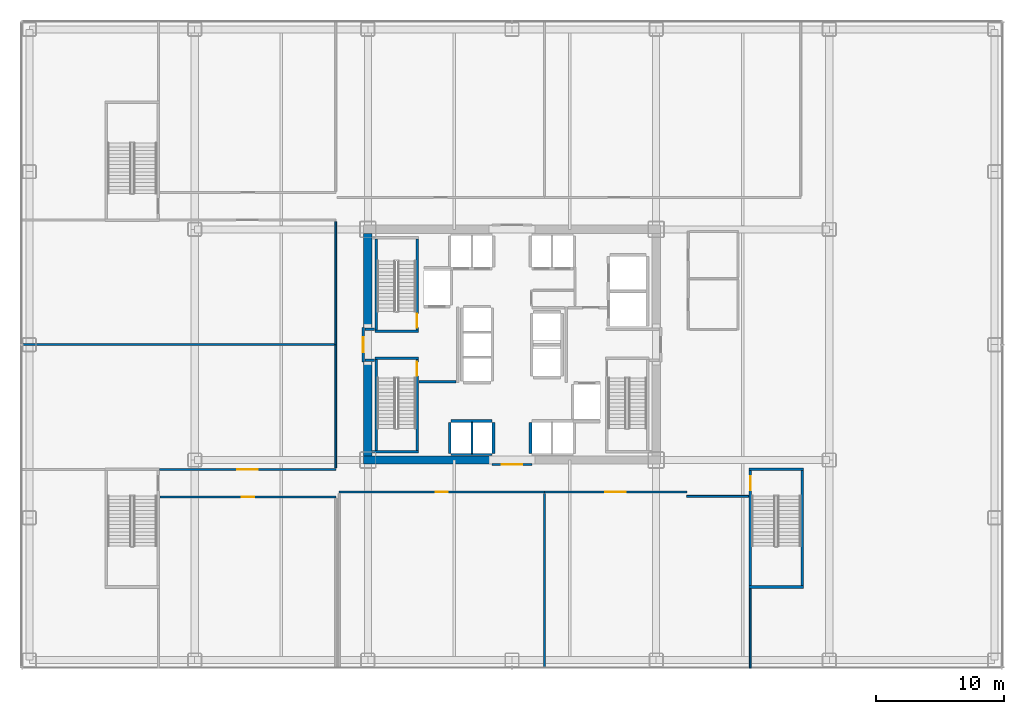
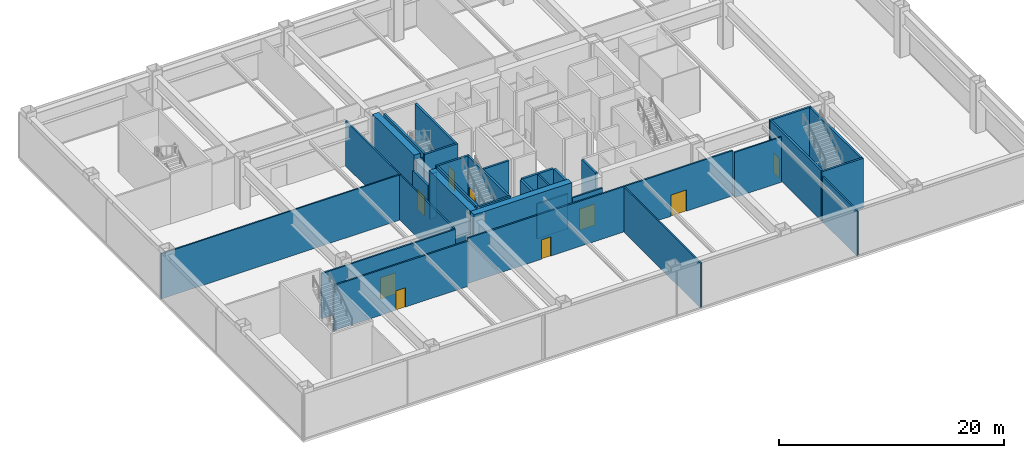
# One storey, part 17 of 24: 35 walls, 9 doors, 9 openings.
"""IFC4 building model written with IfcOpenShell, lengths in metres."""

from ifc_helpers import new_model, si_unit, direction, frame, frame_2d, origin, place, context, subcontext, project, spatial, rectangle, extrude, source, transform, mapped, material, layer, layer_set, type_object, element, fill, save


model = new_model("IFC4")

# Units and contexts
model_context = context("Model", 3, precision=1e-05, world=origin(), true_north=direction((0.0, 1.0)))
body_context = subcontext(model_context, "Body", "Model", "MODEL_VIEW")
ifc_project = project(units=[si_unit("LENGTHUNIT", "METRE"), si_unit("AREAUNIT", "SQUARE_METRE"), si_unit("VOLUMEUNIT", "CUBIC_METRE"), si_unit("PLANEANGLEUNIT", "RADIAN"), si_unit("MASSUNIT", "GRAM", prefix="KILO")], contexts=[model_context])

# Site, building, storey
site_placement = place(None, origin())
site = spatial("IfcSite", under=ifc_project, at=site_placement, CompositionType="ELEMENT")
building_placement = place(site_placement, origin())
building = spatial("IfcBuilding", under=site, at=building_placement, Name="Nefas-Gora Pilgrimage Tower", CompositionType="ELEMENT")
storey_placement = place(building_placement, frame((0.0, 0.0, 22.199951171875)))
storey = spatial("IfcBuildingStorey", under=building, at=storey_placement, Name="L04", CompositionType="ELEMENT", Elevation=22.199951171875)

# Walls
ifc_material_1 = material(Name="Concrete C60/75", Category="concrete")
ifc_layer_1 = layer(ifc_material_1, 0.64990234375)
ifc_layer_set_1 = layer_set([ifc_layer_1], Name="Concrete C60/75")
wall_type_1 = type_object("IfcWallType", Name="SW-CORE-650", PredefinedType="SHEAR", material=ifc_layer_set_1)
shared_shape_1 = source(origin(), body_context, "Body", "SweptSolid", [
    extrude(rectangle(XDim=10.02490234375, YDim=0.64990234375, at=frame_2d((5.012451171875, 0.0))), origin(), (0.0, 0.0, 1.0), 5.400146484375),
])
wall_1_placement = place(storey_placement, frame((-11.574951171875, -9.0, 0.0), z_axis=(0.0, 0.0, 1.0), x_axis=(1.0, 0.0, 0.0)))
element("IfcWall", 1, at=wall_1_placement, inside=storey, type_object=wall_type_1, Name="L04 Core Shear Wall S-West", PredefinedType="SHEAR", context=body_context, shape_type="MappedRepresentation", body=[
    mapped(shared_shape_1, transform((0.0, 0.0, 0.0), x_axis=(1.0, 0.0, 0.0), y_axis=(0.0, 1.0, 0.0), z_axis=(0.0, 0.0, 1.0), scale=1.0)),
])
shared_shape_2 = source(origin(), body_context, "Body", "SweptSolid", [
    extrude(rectangle(XDim=7.324951171875, YDim=0.64990234375, at=frame_2d((3.66259765625, 0.0))), origin(), (0.0, 0.0, 1.0), 5.400146484375),
])
for number, where, z_axis, x_axis, name in (
    (2, (-11.25, -8.675048828125, 0.0), (0.0, 0.0, 1.0), (0.0, 1.0, 0.0), "L04 Core Shear Wall W-South"),
    (3, (-11.25, 1.35009765625, 0.0), (0.0, 0.0, 1.0), (0.0, 1.0, 0.0), "L04 Core Shear Wall W-North"),
):
    element("IfcWall", number, at=place(storey_placement, frame(where, z_axis=z_axis, x_axis=x_axis)), inside=storey, type_object=wall_type_1, Name=name, PredefinedType="SHEAR", context=body_context, shape_type="MappedRepresentation", body=[
        mapped(shared_shape_2, transform((0.0, 0.0, 0.0), x_axis=(1.0, 0.0, 0.0), y_axis=(0.0, 1.0, 0.0), z_axis=(0.0, 0.0, 1.0), scale=1.0)),
    ])
ifc_material_2 = material(Name="Concrete C45/55", Category="concrete")
ifc_layer_2 = layer(ifc_material_2, 0.199951171875)
ifc_layer_set_2 = layer_set([ifc_layer_2], Name="Concrete C45/55")
wall_type_2 = type_object("IfcWallType", Name="IW-STAIR-200", PredefinedType="SOLIDWALL", material=ifc_layer_set_2)
shared_shape_3 = source(origin(), body_context, "Body", "SweptSolid", [
    extrude(rectangle(XDim=3.39990234375, YDim=0.199951171875, at=frame_2d((1.699951171875, 0.0))), origin(), (0.0, 0.0, 1.0), 5.400146484375),
])
for number, where, z_axis, x_axis, name in (
    (4, (-7.300048828125, 1.050048828125, 0.0), (0.0, 0.0, 1.0), (-1.0, 0.0, 0.0), "L04 Stairwell Shear Wall ST-01-near"),
    (5, (-10.699951171875, -1.050048828125, 0.0), (0.0, 0.0, 1.0), (1.0, 0.0, 0.0), "L04 Stairwell Shear Wall ST-03-near"),
):
    element("IfcWall", number, at=place(storey_placement, frame(where, z_axis=z_axis, x_axis=x_axis)), inside=storey, type_object=wall_type_2, Name=name, PredefinedType="SOLIDWALL", context=body_context, shape_type="MappedRepresentation", body=[
        mapped(shared_shape_3, transform((0.0, 0.0, 0.0), x_axis=(1.0, 0.0, 0.0), y_axis=(0.0, 1.0, 0.0), z_axis=(0.0, 0.0, 1.0), scale=1.0)),
    ])
shared_shape_4 = source(origin(), body_context, "Body", "SweptSolid", [
    extrude(rectangle(XDim=3.6298828125, YDim=0.199951171875, at=frame_2d((1.81494140625, 0.0))), origin(), (0.0, 0.0, 1.0), 5.400146484375),
])
wall_2_placement = place(storey_placement, frame((-10.929931640625, -8.35009765625, 0.0), z_axis=(0.0, 0.0, 1.0), x_axis=(1.0, 0.0, 0.0)))
element("IfcWall", 6, at=wall_2_placement, inside=storey, type_object=wall_type_2, Name="L04 Stairwell Shear Wall ST-03-far", PredefinedType="SOLIDWALL", context=body_context, shape_type="MappedRepresentation", body=[
    mapped(shared_shape_4, transform((0.0, 0.0, 0.0), x_axis=(1.0, 0.0, 0.0), y_axis=(0.0, 1.0, 0.0), z_axis=(0.0, 0.0, 1.0), scale=1.0)),
])

# Wall, opening, door
shared_shape_5 = source(origin(), body_context, "Body", "SweptSolid", [
    extrude(rectangle(XDim=7.10009765625, YDim=0.199951171875, at=frame_2d((3.550048828125, 0.0))), origin(), (0.0, 0.0, 1.0), 5.400146484375),
])
wall_3_placement = place(storey_placement, frame((-7.39990234375, 1.14990234375, 0.0), z_axis=(0.0, 0.0, 1.0), x_axis=(0.0, 1.0, 0.0)))
wall_3 = element("IfcWall", 7, at=wall_3_placement, inside=storey, type_object=wall_type_2, Name="L04 Stairwell Shear Wall ST-01-left", PredefinedType="SOLIDWALL", context=body_context, shape_type="MappedRepresentation", body=[
    mapped(shared_shape_5, transform((0.0, 0.0, 0.0), x_axis=(1.0, 0.0, 0.0), y_axis=(0.0, 1.0, 0.0), z_axis=(0.0, 0.0, 1.0), scale=1.0)),
])
opening_1_placement = place(wall_3_placement, frame((0.179931640625, 0.0, 0.0)))
opening_1 = element("IfcOpeningElement", 8, at=opening_1_placement, cuts=wall_3, Name="Opening ID-ST1", PredefinedType="OPENING", context=body_context, shape_type="SweptSolid", body=[
    extrude(rectangle(XDim=1.10009765625, YDim=2.14990234375, at=frame_2d((0.550048828125, 1.074951171875))), frame((0.0, 0.10986328125, 0.0), z_axis=(0.0, -1.0, 0.0), x_axis=(1.0, 0.0, 0.0)), (0.0, 0.0, 1.0), 0.219970703125),
])
ifc_material_3 = material(Name="Painted galvanised steel fire stair door", Category="steel")
door_type_1 = type_object("IfcDoorType", Name="DR-INT-STAIR-1100", OperationType="NOTDEFINED", PredefinedType="DOOR", material=ifc_material_3)
shared_shape_6 = source(origin(), body_context, "Body", "SweptSolid", [
    extrude(rectangle(XDim=1.10009765625, YDim=2.14990234375, at=frame_2d((0.550048828125, 1.074951171875))), frame((0.0, 0.02490234375, 0.0), z_axis=(0.0, -1.0, 0.0), x_axis=(1.0, 0.0, 0.0)), (0.0, 0.0, 1.0), 0.050048828125),
])
door_1_placement = place(opening_1_placement, origin())
door_1 = element("IfcDoor", 9, at=door_1_placement, inside=storey, type_object=door_type_1, Name="L04 Protected Exit Stair Door ST-01", OperationType="SINGLE_SWING_RIGHT", OverallHeight=2.14990234375, OverallWidth=1.10009765625, PredefinedType="DOOR", context=body_context, shape_type="MappedRepresentation", body=[
    mapped(shared_shape_6, transform((0.0, 0.0, 0.0), x_axis=(1.0, 0.0, 0.0), y_axis=(0.0, 1.0, 0.0), z_axis=(0.0, 0.0, 1.0), scale=1.0)),
])
fill(opening_1, door_1)

# Walls
for number, where, z_axis, x_axis, name in (
    (10, (-10.60009765625, 1.14990234375, 0.0), (0.0, 0.0, 1.0), (0.0, 1.0, 0.0), "L04 Stairwell Shear Wall ST-01-right"),
    (11, (-10.60009765625, -1.14990234375, 0.0), (0.0, 0.0, 1.0), (0.0, -1.0, 0.0), "L04 Stairwell Shear Wall ST-03-left"),
):
    element("IfcWall", number, at=place(storey_placement, frame(where, z_axis=z_axis, x_axis=x_axis)), inside=storey, type_object=wall_type_2, Name=name, PredefinedType="SOLIDWALL", context=body_context, shape_type="MappedRepresentation", body=[
        mapped(shared_shape_5, transform((0.0, 0.0, 0.0), x_axis=(1.0, 0.0, 0.0), y_axis=(0.0, 1.0, 0.0), z_axis=(0.0, 0.0, 1.0), scale=1.0)),
    ])

# Wall, opening, door
wall_4_placement = place(storey_placement, frame((-7.39990234375, -1.14990234375, 0.0), z_axis=(0.0, 0.0, 1.0), x_axis=(0.0, -1.0, 0.0)))
wall_4 = element("IfcWall", 12, at=wall_4_placement, inside=storey, type_object=wall_type_2, Name="L04 Stairwell Shear Wall ST-03-right", PredefinedType="SOLIDWALL", context=body_context, shape_type="MappedRepresentation", body=[
    mapped(shared_shape_5, transform((0.0, 0.0, 0.0), x_axis=(1.0, 0.0, 0.0), y_axis=(0.0, 1.0, 0.0), z_axis=(0.0, 0.0, 1.0), scale=1.0)),
])
opening_2_placement = place(wall_4_placement, frame((0.179931640625, 0.0, 0.0)))
opening_2 = element("IfcOpeningElement", 13, at=opening_2_placement, cuts=wall_4, Name="Opening ID-ST1", PredefinedType="OPENING", context=body_context, shape_type="SweptSolid", body=[
    extrude(rectangle(XDim=1.10009765625, YDim=2.14990234375, at=frame_2d((0.550048828125, 1.074951171875))), frame((0.0, 0.10986328125, 0.0), z_axis=(0.0, -1.0, 0.0), x_axis=(1.0, 0.0, 0.0)), (0.0, 0.0, 1.0), 0.219970703125),
])
door_2_placement = place(opening_2_placement, origin())
door_2 = element("IfcDoor", 14, at=door_2_placement, inside=storey, type_object=door_type_1, Name="L04 Protected Exit Stair Door ST-03", OperationType="SINGLE_SWING_RIGHT", OverallHeight=2.14990234375, OverallWidth=1.10009765625, PredefinedType="DOOR", context=body_context, shape_type="MappedRepresentation", body=[
    mapped(shared_shape_6, transform((0.0, 0.0, 0.0), x_axis=(1.0, 0.0, 0.0), y_axis=(0.0, 1.0, 0.0), z_axis=(0.0, 0.0, 1.0), scale=1.0)),
])
fill(opening_2, door_2)

# Walls
shared_shape_7 = source(origin(), body_context, "Body", "SweptSolid", [
    extrude(rectangle(XDim=4.239990234375, YDim=0.199951171875, at=frame_2d((2.1201171875, 0.0))), origin(), (0.0, 0.0, 1.0), 5.400146484375),
])
for number, where, z_axis, x_axis, name in (
    (15, (18.5, -9.699951171875, 0.0), (0.0, 0.0, 1.0), (1.0, 0.0, 0.0), "L04 Stairwell Shear Wall ST-06-near"),
    (16, (18.5, -18.89990234375, 0.0), (0.0, 0.0, 1.0), (1.0, 0.0, 0.0), "L04 Stairwell Shear Wall ST-06-far"),
):
    element("IfcWall", number, at=place(storey_placement, frame(where, z_axis=z_axis, x_axis=x_axis)), inside=storey, type_object=wall_type_2, Name=name, PredefinedType="SOLIDWALL", context=body_context, shape_type="MappedRepresentation", body=[
        mapped(shared_shape_7, transform((0.0, 0.0, 0.0), x_axis=(1.0, 0.0, 0.0), y_axis=(0.0, 1.0, 0.0), z_axis=(0.0, 0.0, 1.0), scale=1.0)),
    ])

# Wall, opening, door
shared_shape_8 = source(origin(), body_context, "Body", "SweptSolid", [
    extrude(rectangle(XDim=9.0, YDim=0.199951171875, at=frame_2d((4.5, 0.0))), origin(), (0.0, 0.0, 1.0), 5.400146484375),
])
wall_5_placement = place(storey_placement, frame((18.60009765625, -9.800048828125, 0.0), z_axis=(0.0, 0.0, 1.0), x_axis=(0.0, -1.0, 0.0)))
wall_5 = element("IfcWall", 17, at=wall_5_placement, inside=storey, type_object=wall_type_2, Name="L04 Stairwell Shear Wall ST-06-left", PredefinedType="SOLIDWALL", context=body_context, shape_type="MappedRepresentation", body=[
    mapped(shared_shape_8, transform((0.0, 0.0, 0.0), x_axis=(1.0, 0.0, 0.0), y_axis=(0.0, 1.0, 0.0), z_axis=(0.0, 0.0, 1.0), scale=1.0)),
])
opening_3_placement = place(wall_5_placement, frame((0.449951171875, 0.0, 0.0)))
opening_3 = element("IfcOpeningElement", 18, at=opening_3_placement, cuts=wall_5, Name="Opening ID-ST1", PredefinedType="OPENING", context=body_context, shape_type="SweptSolid", body=[
    extrude(rectangle(XDim=1.10009765625, YDim=2.14990234375, at=frame_2d((0.550048828125, 1.074951171875))), frame((0.0, 0.10986328125, 0.0), z_axis=(0.0, -1.0, 0.0), x_axis=(1.0, 0.0, 0.0)), (0.0, 0.0, 1.0), 0.219970703125),
])
door_3_placement = place(opening_3_placement, origin())
door_3 = element("IfcDoor", 19, at=door_3_placement, inside=storey, type_object=door_type_1, Name="L04 Protected Exit Stair Door ST-06", OperationType="SINGLE_SWING_RIGHT", OverallHeight=2.14990234375, OverallWidth=1.10009765625, PredefinedType="DOOR", context=body_context, shape_type="MappedRepresentation", body=[
    mapped(shared_shape_6, transform((0.0, 0.0, 0.0), x_axis=(1.0, 0.0, 0.0), y_axis=(0.0, 1.0, 0.0), z_axis=(0.0, 0.0, 1.0), scale=1.0)),
])
fill(opening_3, door_3)

# Walls
wall_6_placement = place(storey_placement, frame((22.639892578125, -9.800048828125, 0.0), z_axis=(0.0, 0.0, 1.0), x_axis=(0.0, -1.0, 0.0)))
element("IfcWall", 20, at=wall_6_placement, inside=storey, type_object=wall_type_2, Name="L04 Stairwell Shear Wall ST-06-right", PredefinedType="SOLIDWALL", context=body_context, shape_type="MappedRepresentation", body=[
    mapped(shared_shape_8, transform((0.0, 0.0, 0.0), x_axis=(1.0, 0.0, 0.0), y_axis=(0.0, 1.0, 0.0), z_axis=(0.0, 0.0, 1.0), scale=1.0)),
])
ifc_material_4 = material(Name="Concrete C40/50", Category="concrete")
ifc_layer_3 = layer(ifc_material_4, 0.219970703125)
ifc_layer_set_3 = layer_set([ifc_layer_3], Name="Concrete C40/50")
wall_type_3 = type_object("IfcWallType", Name="IW-SHAFT-220", PredefinedType="SOLIDWALL", material=ifc_layer_set_3)
shared_shape_9 = source(origin(), body_context, "Body", "SweptSolid", [
    extrude(rectangle(XDim=3.199951171875, YDim=0.219970703125, at=frame_2d((1.60009765625, 0.0))), origin(), (0.0, 0.0, 1.0), 4.905029296875),
])
wall_7_placement = place(storey_placement, frame((-1.550048828125, -5.93994140625, 0.0), z_axis=(0.0, 0.0, 1.0), x_axis=(-1.0, 0.0, 0.0)))
element("IfcWall", 21, at=wall_7_placement, inside=storey, type_object=wall_type_3, Name="L04 Hoistway Wall PL2-W-N", PredefinedType="SOLIDWALL", context=body_context, shape_type="MappedRepresentation", body=[
    mapped(shared_shape_9, transform((0.0, 0.0, 0.0), x_axis=(1.0, 0.0, 0.0), y_axis=(0.0, 1.0, 0.0), z_axis=(0.0, 0.0, 1.0), scale=1.0)),
])
ifc_material_5 = material(Name="Gypsum acoustic stud partition")
ifc_layer_4 = layer(ifc_material_5, 0.159912109375)
ifc_layer_set_4 = layer_set([ifc_layer_4], Name="Gypsum acoustic stud partition")
wall_type_4 = type_object("IfcWallType", Name="IW-CORR-160", PredefinedType="PARTITIONING", material=ifc_layer_set_4)
shared_shape_10 = source(origin(), body_context, "Body", "SweptSolid", [
    extrude(rectangle(XDim=3.199951171875, YDim=0.159912109375, at=frame_2d((1.60009765625, 0.0))), origin(), (0.0, 0.0, 1.0), 3.795166015625),
])
wall_8_placement = place(storey_placement, frame((-4.75, -8.580078125, 0.0), z_axis=(0.0, 0.0, 1.0), x_axis=(1.0, 0.0, 0.0)))
element("IfcWall", 22, at=wall_8_placement, inside=storey, type_object=wall_type_4, Name="L04 Hoistway Wall PL2-W-S", PredefinedType="PARTITIONING", context=body_context, shape_type="MappedRepresentation", body=[
    mapped(shared_shape_10, transform((0.0, 0.0, 0.0), x_axis=(1.0, 0.0, 0.0), y_axis=(0.0, 1.0, 0.0), z_axis=(0.0, 0.0, 1.0), scale=1.0)),
])
shared_shape_11 = source(origin(), body_context, "Body", "SweptSolid", [
    extrude(rectangle(XDim=2.429931640625, YDim=0.219970703125, at=frame_2d((1.21484375, 0.0))), origin(), (0.0, 0.0, 1.0), 4.905029296875),
])
for number, where, z_axis, x_axis, name in (
    (23, (-4.860107421875, -6.06005859375, 0.0), (0.0, 0.0, 1.0), (0.0, -1.0, 0.0), "L04 Hoistway Wall PL2-W-W"),
    (24, (-1.43994140625, -8.489990234375, 0.0), (0.0, 0.0, 1.0), (0.0, 1.0, 0.0), "L04 Hoistway Wall PL2-W-E"),
    (25, (1.43994140625, -6.06005859375, 0.0), (0.0, 0.0, 1.0), (0.0, -1.0, 0.0), "L04 Hoistway Wall PL2-E-W"),
):
    element("IfcWall", number, at=place(storey_placement, frame(where, z_axis=z_axis, x_axis=x_axis)), inside=storey, type_object=wall_type_3, Name=name, PredefinedType="SOLIDWALL", context=body_context, shape_type="MappedRepresentation", body=[
        mapped(shared_shape_11, transform((0.0, 0.0, 0.0), x_axis=(1.0, 0.0, 0.0), y_axis=(0.0, 1.0, 0.0), z_axis=(0.0, 0.0, 1.0), scale=1.0)),
    ])
ifc_material_6 = material(Name="Gypsum twin-stud partition")
ifc_layer_5 = layer(ifc_material_6, 0.139892578125)
ifc_layer_set_5 = layer_set([ifc_layer_5], Name="Gypsum twin-stud partition")
wall_type_5 = type_object("IfcWallType", Name="IW-UNIT-140", PredefinedType="PARTITIONING", material=ifc_layer_set_5)
shared_shape_12 = source(origin(), body_context, "Body", "SweptSolid", [
    extrude(rectangle(XDim=2.429931640625, YDim=0.139892578125, at=frame_2d((1.21484375, 0.0))), origin(), (0.0, 0.0, 1.0), 4.905029296875),
])
wall_9_placement = place(storey_placement, frame((-3.125, -8.489990234375, 0.0), z_axis=(0.0, 0.0, 1.0), x_axis=(0.0, 1.0, 0.0)))
element("IfcWall", 26, at=wall_9_placement, inside=storey, type_object=wall_type_5, Name="L04 Hoistway Wall PL2-W-DIV", PredefinedType="PARTITIONING", context=body_context, shape_type="MappedRepresentation", body=[
    mapped(shared_shape_12, transform((0.0, 0.0, 0.0), x_axis=(1.0, 0.0, 0.0), y_axis=(0.0, 1.0, 0.0), z_axis=(0.0, 0.0, 1.0), scale=1.0)),
])

# Wall, opening, door
ifc_material_7 = material(Name="Gypsum fire-rated shaftwall")
ifc_layer_6 = layer(ifc_material_7, 0.199951171875)
ifc_layer_set_6 = layer_set([ifc_layer_6], Name="Gypsum fire-rated shaftwall")
wall_type_6 = type_object("IfcWallType", Name="IW-FFLOB-200", PredefinedType="PARTITIONING", material=ifc_layer_set_6)
shared_shape_13 = source(origin(), body_context, "Body", "SweptSolid", [
    extrude(rectangle(XDim=2.7001953125, YDim=0.199951171875, at=frame_2d((1.35009765625, 0.0))), origin(), (0.0, 0.0, 1.0), 3.795166015625),
])
wall_10_placement = place(storey_placement, frame((-11.60009765625, -1.35009765625, 0.0), z_axis=(0.0, 0.0, 1.0), x_axis=(0.0, 1.0, 0.0)))
wall_10 = element("IfcWall", 27, at=wall_10_placement, inside=storey, type_object=wall_type_6, Name="L04 FF Lobby West Portal Wall 3", PredefinedType="PARTITIONING", context=body_context, shape_type="MappedRepresentation", body=[
    mapped(shared_shape_13, transform((0.0, 0.0, 0.0), x_axis=(1.0, 0.0, 0.0), y_axis=(0.0, 1.0, 0.0), z_axis=(0.0, 0.0, 1.0), scale=1.0)),
])
opening_4_placement = place(wall_10_placement, frame((0.75, 0.0, 0.0)))
opening_4 = element("IfcOpeningElement", 28, at=opening_4_placement, cuts=wall_10, Name="Opening ID-FF1", PredefinedType="OPENING", context=body_context, shape_type="SweptSolid", body=[
    extrude(rectangle(XDim=1.199951171875, YDim=2.14990234375, at=frame_2d((0.60009765625, 1.074951171875))), frame((0.0, 0.10986328125, 0.0), z_axis=(0.0, -1.0, 0.0), x_axis=(1.0, 0.0, 0.0)), (0.0, 0.0, 1.0), 0.219970703125),
])
ifc_material_8 = material(Name="Smoke-sealed steel firefighting lobby door", Category="steel")
door_type_2 = type_object("IfcDoorType", Name="DR-INT-FFLOB-1200", OperationType="NOTDEFINED", PredefinedType="DOOR", material=ifc_material_8)
shared_shape_14 = source(origin(), body_context, "Body", "SweptSolid", [
    extrude(rectangle(XDim=1.199951171875, YDim=2.14990234375, at=frame_2d((0.60009765625, 1.074951171875))), frame((0.0, 0.02490234375, 0.0), z_axis=(0.0, -1.0, 0.0), x_axis=(1.0, 0.0, 0.0)), (0.0, 0.0, 1.0), 0.050048828125),
])
door_4_placement = place(opening_4_placement, origin())
door_4 = element("IfcDoor", 29, at=door_4_placement, inside=storey, type_object=door_type_2, Name="L04 FF Lobby West Portal Door 1", OperationType="SINGLE_SWING_LEFT", OverallHeight=2.14990234375, OverallWidth=1.199951171875, PredefinedType="DOOR", context=body_context, shape_type="MappedRepresentation", body=[
    mapped(shared_shape_14, transform((0.0, 0.0, 0.0), x_axis=(1.0, 0.0, 0.0), y_axis=(0.0, 1.0, 0.0), z_axis=(0.0, 0.0, 1.0), scale=1.0)),
])
fill(opening_4, door_4)

# Walls
shared_shape_15 = source(origin(), body_context, "Body", "SweptSolid", [
    extrude(rectangle(XDim=2.89990234375, YDim=0.199951171875, at=frame_2d((1.449951171875, 0.0))), origin(), (0.0, 0.0, 1.0), 4.905029296875),
])
wall_11_placement = place(storey_placement, frame((-7.260009765625, -2.89990234375, 0.0), z_axis=(0.0, 0.0, 1.0), x_axis=(1.0, 0.0, 0.0)))
element("IfcWall", 30, at=wall_11_placement, inside=storey, type_object=wall_type_6, Name="L04 FF Lobby West South Wall Wall 5", PredefinedType="PARTITIONING", context=body_context, shape_type="MappedRepresentation", body=[
    mapped(shared_shape_15, transform((0.0, 0.0, 0.0), x_axis=(1.0, 0.0, 0.0), y_axis=(0.0, 1.0, 0.0), z_axis=(0.0, 0.0, 1.0), scale=1.0)),
])
shared_shape_16 = source(origin(), body_context, "Body", "SweptSolid", [
    extrude(rectangle(XDim=0.719970703125, YDim=0.199951171875, at=frame_2d((0.35986328125, 0.0))), origin(), (0.0, 0.0, 1.0), 4.905029296875),
])
for number, where, z_axis, x_axis, name in (
    (31, (-11.4599609375, 1.219970703125, 0.0), (0.0, 0.0, 1.0), (1.0, 0.0, 0.0), "L04 FF Lobby West Throat N Wall 6"),
    (32, (-11.4599609375, -1.219970703125, 0.0), (0.0, 0.0, 1.0), (1.0, 0.0, 0.0), "L04 FF Lobby West Throat S Wall 7"),
):
    element("IfcWall", number, at=place(storey_placement, frame(where, z_axis=z_axis, x_axis=x_axis)), inside=storey, type_object=wall_type_6, Name=name, PredefinedType="PARTITIONING", context=body_context, shape_type="MappedRepresentation", body=[
        mapped(shared_shape_16, transform((0.0, 0.0, 0.0), x_axis=(1.0, 0.0, 0.0), y_axis=(0.0, 1.0, 0.0), z_axis=(0.0, 0.0, 1.0), scale=1.0)),
    ])

# Wall, opening, door
shared_shape_17 = source(origin(), body_context, "Body", "SweptSolid", [
    extrude(rectangle(XDim=3.08984375, YDim=0.159912109375, at=frame_2d((1.544921875, 0.0))), origin(), (0.0, 0.0, 1.0), 3.795166015625),
])
wall_12_placement = place(storey_placement, frame((-1.544921875, -9.35009765625, 0.0), z_axis=(0.0, 0.0, 1.0), x_axis=(1.0, 0.0, 0.0)))
wall_12 = element("IfcWall", 33, at=wall_12_placement, inside=storey, type_object=wall_type_4, Name="L04 Central Lift Lobby South Portal Wall 15", PredefinedType="PARTITIONING", context=body_context, shape_type="MappedRepresentation", body=[
    mapped(shared_shape_17, transform((0.0, 0.0, 0.0), x_axis=(1.0, 0.0, 0.0), y_axis=(0.0, 1.0, 0.0), z_axis=(0.0, 0.0, 1.0), scale=1.0)),
])
opening_5_placement = place(wall_12_placement, frame((0.7451171875, 0.0, 0.0)))
opening_5 = element("IfcOpeningElement", 34, at=opening_5_placement, cuts=wall_12, Name="Opening ID-HL1", PredefinedType="OPENING", context=body_context, shape_type="SweptSolid", body=[
    extrude(rectangle(XDim=1.60009765625, YDim=2.300048828125, at=frame_2d((0.800048828125, 1.14990234375))), frame((0.0, 0.08984375, 0.0), z_axis=(0.0, -1.0, 0.0), x_axis=(1.0, 0.0, 0.0)), (0.0, 0.0, 1.0), 0.179931640625),
])
ifc_material_9 = material(Name="Double acoustic timber assembly hall door", Category="wood")
door_type_3 = type_object("IfcDoorType", Name="DR-INT-HALL-1600", OperationType="DOUBLE_DOOR_SINGLE_SWING", PredefinedType="DOOR", material=ifc_material_9)
shared_shape_18 = source(origin(), body_context, "Body", "SweptSolid", [
    extrude(rectangle(XDim=1.60009765625, YDim=2.300048828125, at=frame_2d((0.800048828125, 1.14990234375))), frame((0.0, 0.02490234375, 0.0), z_axis=(0.0, -1.0, 0.0), x_axis=(1.0, 0.0, 0.0)), (0.0, 0.0, 1.0), 0.050048828125),
])
door_5_placement = place(opening_5_placement, origin())
door_5 = element("IfcDoor", 35, at=door_5_placement, inside=storey, type_object=door_type_3, Name="L04 Central Lift Lobby South Portal Door 5", OperationType="DOUBLE_DOOR_SINGLE_SWING", OverallHeight=2.300048828125, OverallWidth=1.60009765625, PredefinedType="DOOR", context=body_context, shape_type="MappedRepresentation", body=[
    mapped(shared_shape_18, transform((0.0, 0.0, 0.0), x_axis=(1.0, 0.0, 0.0), y_axis=(0.0, 1.0, 0.0), z_axis=(0.0, 0.0, 1.0), scale=1.0)),
])
fill(opening_5, door_5)

shared_shape_19 = source(origin(), body_context, "Body", "SweptSolid", [
    extrude(rectangle(XDim=13.755126953125, YDim=0.159912109375, at=frame_2d((6.87744140625, 0.0))), origin(), (0.0, 0.0, 1.0), 4.905029296875),
])
wall_13_placement = place(storey_placement, frame((-27.4951171875, -9.72998046875, 0.0), z_axis=(0.0, 0.0, 1.0), x_axis=(1.0, 0.0, 0.0)))
wall_13 = element("IfcWall", 36, at=wall_13_placement, inside=storey, type_object=wall_type_4, Name="L04 Pilgrim Refectory Dining Hall South-West Partition Wall 31", PredefinedType="PARTITIONING", context=body_context, shape_type="MappedRepresentation", body=[
    mapped(shared_shape_19, transform((0.0, 0.0, 0.0), x_axis=(1.0, 0.0, 0.0), y_axis=(0.0, 1.0, 0.0), z_axis=(0.0, 0.0, 1.0), scale=1.0)),
])
opening_6_placement = place(wall_13_placement, frame((6.077392578125, 0.0, 0.0)))
opening_6 = element("IfcOpeningElement", 37, at=opening_6_placement, cuts=wall_13, Name="Opening ID-HL1", PredefinedType="OPENING", context=body_context, shape_type="SweptSolid", body=[
    extrude(rectangle(XDim=1.60009765625, YDim=2.300048828125, at=frame_2d((0.800048828125, 1.14990234375))), frame((0.0, 0.08984375, 0.0), z_axis=(0.0, -1.0, 0.0), x_axis=(1.0, 0.0, 0.0)), (0.0, 0.0, 1.0), 0.179931640625),
])
door_6_placement = place(opening_6_placement, origin())
door_6 = element("IfcDoor", 38, at=door_6_placement, inside=storey, type_object=door_type_3, Name="L04 Pilgrim Refectory Dining Hall South-West Door 10", OperationType="DOUBLE_DOOR_SINGLE_SWING", OverallHeight=2.300048828125, OverallWidth=1.60009765625, PredefinedType="DOOR", context=body_context, shape_type="MappedRepresentation", body=[
    mapped(shared_shape_18, transform((0.0, 0.0, 0.0), x_axis=(1.0, 0.0, 0.0), y_axis=(0.0, 1.0, 0.0), z_axis=(0.0, 0.0, 1.0), scale=1.0)),
])
fill(opening_6, door_6)

# Walls
shared_shape_20 = source(origin(), body_context, "Body", "SweptSolid", [
    extrude(rectangle(XDim=9.60009765625, YDim=0.139892578125, at=frame_2d((4.800048828125, 0.0))), origin(), (0.0, 0.0, 1.0), 4.905029296875),
])
for number, where, z_axis, x_axis, name in (
    (39, (-13.75, 0.010009765625, 0.0), (0.0, 0.0, 1.0), (0.0, 1.0, 0.0), "L04 Pilgrim Refectory Dining Hall North-West Partition Wall 28"),
    (40, (-13.75, -9.610107421875, 0.0), (0.0, 0.0, 1.0), (0.0, 1.0, 0.0), "L04 Pilgrim Refectory Dining Hall South-West Partition Wall 32"),
):
    element("IfcWall", number, at=place(storey_placement, frame(where, z_axis=z_axis, x_axis=x_axis)), inside=storey, type_object=wall_type_5, Name=name, PredefinedType="PARTITIONING", context=body_context, shape_type="MappedRepresentation", body=[
        mapped(shared_shape_20, transform((0.0, 0.0, 0.0), x_axis=(1.0, 0.0, 0.0), y_axis=(0.0, 1.0, 0.0), z_axis=(0.0, 0.0, 1.0), scale=1.0)),
    ])
shared_shape_21 = source(origin(), body_context, "Body", "SweptSolid", [
    extrude(rectangle(XDim=24.409912109375, YDim=0.139892578125, at=frame_2d((12.205078125, 0.0))), origin(), (0.0, 0.0, 1.0), 4.905029296875),
])
wall_14_placement = place(storey_placement, frame((-38.27001953125, 0.02001953125, 0.0), z_axis=(0.0, 0.0, 1.0), x_axis=(1.0, 0.0, 0.0)))
element("IfcWall", 41, at=wall_14_placement, inside=storey, type_object=wall_type_5, Name="L04 Pilgrim Refectory Dining Hall North-West Partition Wall 29", PredefinedType="PARTITIONING", context=body_context, shape_type="MappedRepresentation", body=[
    mapped(shared_shape_21, transform((0.0, 0.0, 0.0), x_axis=(1.0, 0.0, 0.0), y_axis=(0.0, 1.0, 0.0), z_axis=(0.0, 0.0, 1.0), scale=1.0)),
])

# Wall, opening, door
shared_shape_22 = source(origin(), body_context, "Body", "SweptSolid", [
    extrude(rectangle(XDim=13.719970703125, YDim=0.159912109375, at=frame_2d((6.85986328125, 0.0))), origin(), (0.0, 0.0, 1.0), 4.905029296875),
])
wall_15_placement = place(storey_placement, frame((-27.4599609375, -11.8701171875, 0.0), z_axis=(0.0, 0.0, 1.0), x_axis=(1.0, 0.0, 0.0)))
wall_15 = element("IfcWall", 42, at=wall_15_placement, inside=storey, type_object=wall_type_4, Name="L04 Dishwashing and Cold Pantry Partition Wall 40", PredefinedType="PARTITIONING", context=body_context, shape_type="MappedRepresentation", body=[
    mapped(shared_shape_22, transform((0.0, 0.0, 0.0), x_axis=(1.0, 0.0, 0.0), y_axis=(0.0, 1.0, 0.0), z_axis=(0.0, 0.0, 1.0), scale=1.0)),
])
opening_7_placement = place(wall_15_placement, frame((6.385009765625, 0.0, 0.0)))
opening_7 = element("IfcOpeningElement", 43, at=opening_7_placement, cuts=wall_15, Name="Opening ID-GR1", PredefinedType="OPENING", context=body_context, shape_type="SweptSolid", body=[
    extrude(rectangle(XDim=0.949951171875, YDim=2.10009765625, at=frame_2d((0.47509765625, 1.050048828125))), frame((0.0, 0.08984375, 0.0), z_axis=(0.0, -1.0, 0.0), x_axis=(1.0, 0.0, 0.0)), (0.0, 0.0, 1.0), 0.179931640625),
])
ifc_material_10 = material(Name="Solid core oak fire-rated guest entrance door")
door_type_4 = type_object("IfcDoorType", Name="DR-INT-GUEST-950", OperationType="NOTDEFINED", PredefinedType="DOOR", material=ifc_material_10)
shared_shape_23 = source(origin(), body_context, "Body", "SweptSolid", [
    extrude(rectangle(XDim=0.949951171875, YDim=2.10009765625, at=frame_2d((0.47509765625, 1.050048828125))), frame((0.0, 0.02490234375, 0.0), z_axis=(0.0, -1.0, 0.0), x_axis=(1.0, 0.0, 0.0)), (0.0, 0.0, 1.0), 0.050048828125),
])
door_7_placement = place(opening_7_placement, origin())
door_7 = element("IfcDoor", 44, at=door_7_placement, inside=storey, type_object=door_type_4, Name="L04 Dishwashing and Cold Pantry Door 14", OperationType="SINGLE_SWING_LEFT", OverallHeight=2.10009765625, OverallWidth=0.949951171875, PredefinedType="DOOR", context=body_context, shape_type="MappedRepresentation", body=[
    mapped(shared_shape_23, transform((0.0, 0.0, 0.0), x_axis=(1.0, 0.0, 0.0), y_axis=(0.0, 1.0, 0.0), z_axis=(0.0, 0.0, 1.0), scale=1.0)),
])
fill(opening_7, door_7)

# Walls
shared_shape_24 = source(origin(), body_context, "Body", "SweptSolid", [
    extrude(rectangle(XDim=6.179931640625, YDim=0.139892578125, at=frame_2d((3.08984375, 0.0))), origin(), (0.0, 0.0, 1.0), 4.905029296875),
])
wall_16_placement = place(storey_placement, frame((18.580078125, -25.219970703125, 0.0), z_axis=(0.0, 0.0, 1.0), x_axis=(0.0, 1.0, 0.0)))
element("IfcWall", 45, at=wall_16_placement, inside=storey, type_object=wall_type_5, Name="L04 Private Group Refectory Hall Partition Wall 48", PredefinedType="PARTITIONING", context=body_context, shape_type="MappedRepresentation", body=[
    mapped(shared_shape_24, transform((0.0, 0.0, 0.0), x_axis=(1.0, 0.0, 0.0), y_axis=(0.0, 1.0, 0.0), z_axis=(0.0, 0.0, 1.0), scale=1.0)),
])
shared_shape_25 = source(origin(), body_context, "Body", "SweptSolid", [
    extrude(rectangle(XDim=13.60986328125, YDim=0.139892578125, at=frame_2d((6.804931640625, 0.0))), origin(), (0.0, 0.0, 1.0), 4.905029296875),
])
wall_17_placement = place(storey_placement, frame((2.530029296875, -25.219970703125, 0.0), z_axis=(0.0, 0.0, 1.0), x_axis=(0.0, 1.0, 0.0)))
element("IfcWall", 46, at=wall_17_placement, inside=storey, type_object=wall_type_5, Name="L04 Pilgrim Tea Tasting Lounge Partition Wall 44", PredefinedType="PARTITIONING", context=body_context, shape_type="MappedRepresentation", body=[
    mapped(shared_shape_25, transform((0.0, 0.0, 0.0), x_axis=(1.0, 0.0, 0.0), y_axis=(0.0, 1.0, 0.0), z_axis=(0.0, 0.0, 1.0), scale=1.0)),
])

# Wall, opening, door
shared_shape_26 = source(origin(), body_context, "Body", "SweptSolid", [
    extrude(rectangle(XDim=16.030029296875, YDim=0.159912109375, at=frame_2d((8.01513671875, 0.0))), origin(), (0.0, 0.0, 1.0), 4.905029296875),
])
wall_18_placement = place(storey_placement, frame((-13.489990234375, -11.489990234375, 0.0), z_axis=(0.0, 0.0, 1.0), x_axis=(1.0, 0.0, 0.0)))
wall_18 = element("IfcWall", 47, at=wall_18_placement, inside=storey, type_object=wall_type_4, Name="L04 Pilgrim Tea Tasting Lounge Partition Wall 43", PredefinedType="PARTITIONING", context=body_context, shape_type="MappedRepresentation", body=[
    mapped(shared_shape_26, transform((0.0, 0.0, 0.0), x_axis=(1.0, 0.0, 0.0), y_axis=(0.0, 1.0, 0.0), z_axis=(0.0, 0.0, 1.0), scale=1.0)),
])
opening_8_placement = place(wall_18_placement, frame((7.5400390625, 0.0, 0.0)))
opening_8 = element("IfcOpeningElement", 48, at=opening_8_placement, cuts=wall_18, Name="Opening ID-GR1", PredefinedType="OPENING", context=body_context, shape_type="SweptSolid", body=[
    extrude(rectangle(XDim=0.949951171875, YDim=2.10009765625, at=frame_2d((0.47509765625, 1.050048828125))), frame((0.0, 0.08984375, 0.0), z_axis=(0.0, -1.0, 0.0), x_axis=(1.0, 0.0, 0.0)), (0.0, 0.0, 1.0), 0.179931640625),
])
door_8_placement = place(opening_8_placement, origin())
door_8 = element("IfcDoor", 49, at=door_8_placement, inside=storey, type_object=door_type_4, Name="L04 Pilgrim Tea Tasting Lounge Door 15", OperationType="SINGLE_SWING_RIGHT", OverallHeight=2.10009765625, OverallWidth=0.949951171875, PredefinedType="DOOR", context=body_context, shape_type="MappedRepresentation", body=[
    mapped(shared_shape_23, transform((0.0, 0.0, 0.0), x_axis=(1.0, 0.0, 0.0), y_axis=(0.0, 1.0, 0.0), z_axis=(0.0, 0.0, 1.0), scale=1.0)),
])
fill(opening_8, door_8)

shared_shape_27 = source(origin(), body_context, "Body", "SweptSolid", [
    extrude(rectangle(XDim=11.099853515625, YDim=0.159912109375, at=frame_2d((5.5498046875, 0.0))), origin(), (0.0, 0.0, 1.0), 4.905029296875),
])
wall_19_placement = place(storey_placement, frame((2.5400390625, -11.489990234375, 0.0), z_axis=(0.0, 0.0, 1.0), x_axis=(1.0, 0.0, 0.0)))
wall_19 = element("IfcWall", 50, at=wall_19_placement, inside=storey, type_object=wall_type_4, Name="L04 Private Group Refectory Hall Partition Wall 46", PredefinedType="PARTITIONING", context=body_context, shape_type="MappedRepresentation", body=[
    mapped(shared_shape_27, transform((0.0, 0.0, 0.0), x_axis=(1.0, 0.0, 0.0), y_axis=(0.0, 1.0, 0.0), z_axis=(0.0, 0.0, 1.0), scale=1.0)),
])
opening_9_placement = place(wall_19_placement, frame((4.75, 0.0, 0.0)))
opening_9 = element("IfcOpeningElement", 51, at=opening_9_placement, cuts=wall_19, Name="Opening ID-HL1", PredefinedType="OPENING", context=body_context, shape_type="SweptSolid", body=[
    extrude(rectangle(XDim=1.60009765625, YDim=2.300048828125, at=frame_2d((0.800048828125, 1.14990234375))), frame((0.0, 0.08984375, 0.0), z_axis=(0.0, -1.0, 0.0), x_axis=(1.0, 0.0, 0.0)), (0.0, 0.0, 1.0), 0.179931640625),
])
door_9_placement = place(opening_9_placement, origin())
door_9 = element("IfcDoor", 52, at=door_9_placement, inside=storey, type_object=door_type_3, Name="L04 Private Group Refectory Hall Door 16", OperationType="DOUBLE_DOOR_SINGLE_SWING", OverallHeight=2.300048828125, OverallWidth=1.60009765625, PredefinedType="DOOR", context=body_context, shape_type="MappedRepresentation", body=[
    mapped(shared_shape_18, transform((0.0, 0.0, 0.0), x_axis=(1.0, 0.0, 0.0), y_axis=(0.0, 1.0, 0.0), z_axis=(0.0, 0.0, 1.0), scale=1.0)),
])
fill(opening_9, door_9)

# Wall
shared_shape_28 = source(origin(), body_context, "Body", "SweptSolid", [
    extrude(rectangle(XDim=4.83984375, YDim=0.139892578125, at=frame_2d((2.419921875, 0.0))), origin(), (0.0, 0.0, 1.0), 4.905029296875),
])
wall_20_placement = place(storey_placement, frame((13.6201171875, -11.830078125, 0.0), z_axis=(0.0, 0.0, 1.0), x_axis=(1.0, 0.0, 0.0)))
element("IfcWall", 53, at=wall_20_placement, inside=storey, type_object=wall_type_5, Name="L04 Private Group Refectory Hall Partition Wall 47", PredefinedType="PARTITIONING", context=body_context, shape_type="MappedRepresentation", body=[
    mapped(shared_shape_28, transform((0.0, 0.0, 0.0), x_axis=(1.0, 0.0, 0.0), y_axis=(0.0, 1.0, 0.0), z_axis=(0.0, 0.0, 1.0), scale=1.0)),
])

save(model, "model.ifc")
